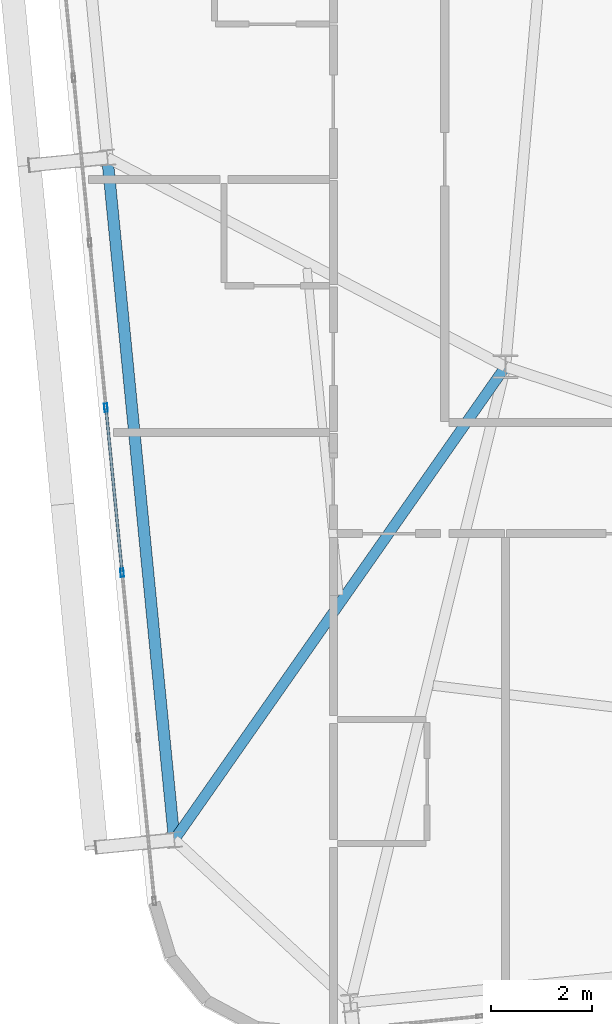
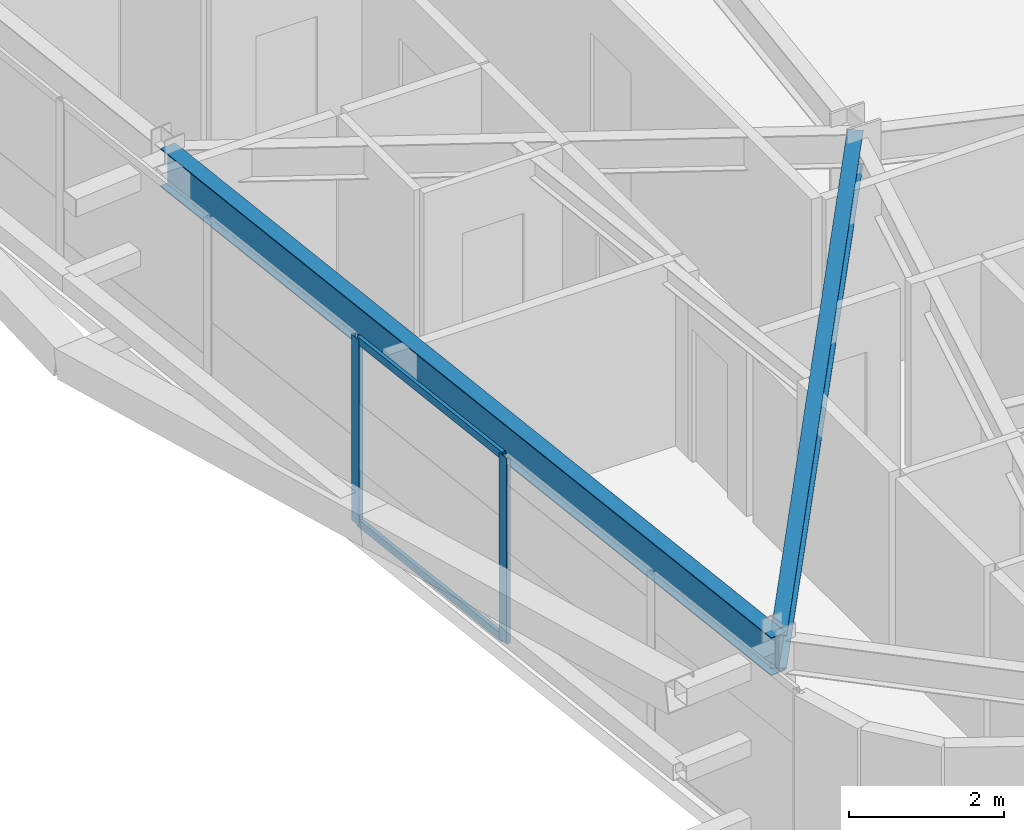
# One storey, part 8 of 53: 4 members, 2 beams, 1 element without a shape of its own.
"""IFC4 building model written with IfcOpenShell, lengths in metres."""

from ifc_helpers import new_model, si_unit, direction, frame, origin, origin_2d, place, context, subcontext, project, spatial, hollow_rectangle, i_section, extrude, source, transform, mapped, material, layer, layer_set, material_profile, profile_set, type_object, element, aggregate, save


model = new_model("IFC4")

# Units and contexts
model_context = context("Model", 3, precision=1e-05, world=origin(), true_north=direction((0.0, 1.0)))
body_context = subcontext(model_context, "Body", "Model", "MODEL_VIEW")
ifc_project = project(units=[si_unit("LENGTHUNIT", "METRE"), si_unit("AREAUNIT", "SQUARE_METRE"), si_unit("VOLUMEUNIT", "CUBIC_METRE"), si_unit("PLANEANGLEUNIT", "RADIAN"), si_unit("MASSUNIT", "GRAM", prefix="KILO")], contexts=[model_context])

# Site, building, storey
site_placement = place(None, origin())
site = spatial("IfcSite", under=ifc_project, at=site_placement, CompositionType="ELEMENT")
building_placement = place(site_placement, origin())
building = spatial("IfcBuilding", under=site, at=building_placement, Name="Taldren Reach Tower", CompositionType="ELEMENT")
storey_placement = place(building_placement, frame((0.0, 0.0, 71.39990234375)))
storey = spatial("IfcBuildingStorey", under=building, at=storey_placement, Name="L21", CompositionType="ELEMENT", Elevation=71.39990234375)

# Beams
ifc_material_1 = material(Name="Steel Gr 350 (350PLUS)", Category="steel")
ifc_material_profile_1 = material_profile(ifc_material_1, i_section(OverallWidth=0.22802734375, OverallDepth=0.60205078125, WebThickness=0.010498046875, FlangeThickness=0.014892578125, at=origin_2d()), Name="610UB101")
ifc_profile_set_1 = profile_set([ifc_material_profile_1], Name="Steel Gr 350 (350PLUS)")
beam_type_1 = type_object("IfcBeamType", Name="BM-UB610B", PredefinedType="BEAM", material=ifc_profile_set_1)
shared_shape_1 = source(origin(), body_context, "Body", "SweptSolid", [
    extrude(i_section(OverallWidth=0.22802734375, OverallDepth=0.60205078125, WebThickness=0.010498046875, FlangeThickness=0.014892578125, at=origin_2d()), origin(), (0.0, 0.0, 1.0), 13.550048828125),
])
beam_1_placement = place(storey_placement, frame((10.130615234375, 16.631103515625, 2.629150390625), z_axis=(0.097584021339, -0.995227290009, 0.0), x_axis=(0.995227290009, 0.097584021339, 0.0)))
element("IfcBeam", 1, at=beam_1_placement, inside=storey, type_object=beam_type_1, Name="Perimeter gable girder B2 W2-W1 L21", PredefinedType="BEAM", context=body_context, shape_type="MappedRepresentation", body=[
    mapped(shared_shape_1, transform((0.0, 0.0, 0.0), scale=1.0)),
])
ifc_material_profile_2 = material_profile(ifc_material_1, i_section(OverallWidth=0.208984375, OverallDepth=0.532958984375, WebThickness=0.01025390625, FlangeThickness=0.015625, at=origin_2d()), Name="530UB92.4")
ifc_profile_set_2 = profile_set([ifc_material_profile_2], Name="Steel Gr 350 (350PLUS)")
beam_type_2 = type_object("IfcBeamType", Name="BM-UB530A", PredefinedType="BEAM", material=ifc_profile_set_2)
shared_shape_2 = source(origin(), body_context, "Body", "SweptSolid", [
    extrude(i_section(OverallWidth=0.208984375, OverallDepth=0.532958984375, WebThickness=0.01025390625, FlangeThickness=0.015625, at=origin_2d()), origin(), (0.0, 0.0, 1.0), 11.417724609375),
])
beam_2_placement = place(storey_placement, frame((18.0, 12.5, 2.66357421875), z_axis=(-0.573412116146, -0.819267077977, 0.0), x_axis=(0.819267077977, -0.573412116146, 0.0)))
element("IfcBeam", 2, at=beam_2_placement, inside=storey, type_object=beam_type_2, Name="Primary floor girder B2-W1 L21", PredefinedType="BEAM", context=body_context, shape_type="MappedRepresentation", body=[
    mapped(shared_shape_2, transform((0.0, 0.0, 0.0), scale=1.0)),
])

# Curtain wall, members
ifc_material_2 = material(Name="Aluminium and Low-E Glass Unitised System", Category="aluminium")
ifc_layer = layer(ifc_material_2, 0.159912109375)
ifc_layer_set = layer_set([ifc_layer], Name="Aluminium and Low-E Glass Unitised System")
curtain_wall_type = type_object("IfcCurtainWallType", Name="CW-SYS-3", PredefinedType="NOTDEFINED", material=ifc_layer_set)
curtain_wall_placement = place(storey_placement, origin())
curtain_wall = element("IfcCurtainWall", 3, at=curtain_wall_placement, inside=storey, type_object=curtain_wall_type, Name="Unitised curtain wall CW-L21-W", PredefinedType="NOTDEFINED")
ifc_material_3 = material(Name="Anodised Aluminium 6063-T6", Category="aluminium")
ifc_material_profile_3 = material_profile(ifc_material_3, hollow_rectangle(XDim=0.06494140625, YDim=0.1650390625, WallThickness=0.00390625, at=origin_2d()), Name="ALU-165x65x4RHS")
ifc_profile_set_3 = profile_set([ifc_material_profile_3], Name="Anodised Aluminium 6063-T6")
member_type_1 = type_object("IfcMemberType", Name="CW-MUL-165", PredefinedType="MULLION", material=ifc_profile_set_3)
shared_shape_3 = source(origin(), body_context, "Body", "SweptSolid", [
    extrude(hollow_rectangle(XDim=0.06494140625, YDim=0.1650390625, WallThickness=0.00390625, at=origin_2d()), origin(), (0.0, 0.0, 1.0), 2.93017578125),
])
member_1_placement = place(storey_placement, frame((10.102783203125, 11.688232421875, 0.0), z_axis=(0.0, 0.0, 1.0), x_axis=(0.99522741555, 0.09758274098, 0.0)))
member_1 = element("IfcMember", 4, at=member_1_placement, type_object=member_type_1, Name="CW-3 mullion 7", PredefinedType="MULLION", context=body_context, shape_type="MappedRepresentation", body=[
    mapped(shared_shape_3, transform((0.0, 0.0, 0.0), scale=1.0)),
])
member_2_placement = place(storey_placement, frame((10.422607421875, 8.426025390625, 0.0), z_axis=(0.0, 0.0, 1.0), x_axis=(0.99522741555, 0.09758274098, 0.0)))
member_2 = element("IfcMember", 5, at=member_2_placement, type_object=member_type_1, Name="CW-3 mullion 8", PredefinedType="MULLION", context=body_context, shape_type="MappedRepresentation", body=[
    mapped(shared_shape_3, transform((0.0, 0.0, 0.0), scale=1.0)),
])
ifc_material_profile_4 = material_profile(ifc_material_3, hollow_rectangle(XDim=0.054931640625, YDim=0.1201171875, WallThickness=0.0029296875, at=origin_2d()), Name="ALU-120x55x3RHS")
ifc_profile_set_4 = profile_set([ifc_material_profile_4], Name="Anodised Aluminium 6063-T6")
member_type_2 = type_object("IfcMemberType", Name="CW-TRN-135", PredefinedType="USERDEFINED", material=ifc_profile_set_4)
shared_shape_4 = source(origin(), body_context, "Body", "SweptSolid", [
    extrude(hollow_rectangle(XDim=0.054931640625, YDim=0.1201171875, WallThickness=0.0029296875, at=origin_2d()), origin(), (0.0, 0.0, 1.0), 3.212890625),
])
member_3_placement = place(storey_placement, frame((10.10595703125, 11.65576171875, 0.027587890625), z_axis=(0.097569948235, -0.995228669805, 0.0), x_axis=(0.995228669805, 0.097569948235, 0.0)))
member_3 = element("IfcMember", 6, at=member_3_placement, type_object=member_type_2, Name="CW-3 transom 7.1", ObjectType="TRANSOM", PredefinedType="USERDEFINED", context=body_context, shape_type="MappedRepresentation", body=[
    mapped(shared_shape_4, transform((0.0, 0.0, 0.0), scale=1.0)),
])
member_4_placement = place(storey_placement, frame((10.10595703125, 11.65576171875, 2.902587890625), z_axis=(0.097569948235, -0.995228669805, 0.0), x_axis=(0.995228669805, 0.097569948235, 0.0)))
member_4 = element("IfcMember", 7, at=member_4_placement, type_object=member_type_2, Name="CW-3 transom 7.2", ObjectType="TRANSOM", PredefinedType="USERDEFINED", context=body_context, shape_type="MappedRepresentation", body=[
    mapped(shared_shape_4, transform((0.0, 0.0, 0.0), scale=1.0)),
])
aggregate(curtain_wall, [member_1, member_2, member_3, member_4])

save(model, "model.ifc")
